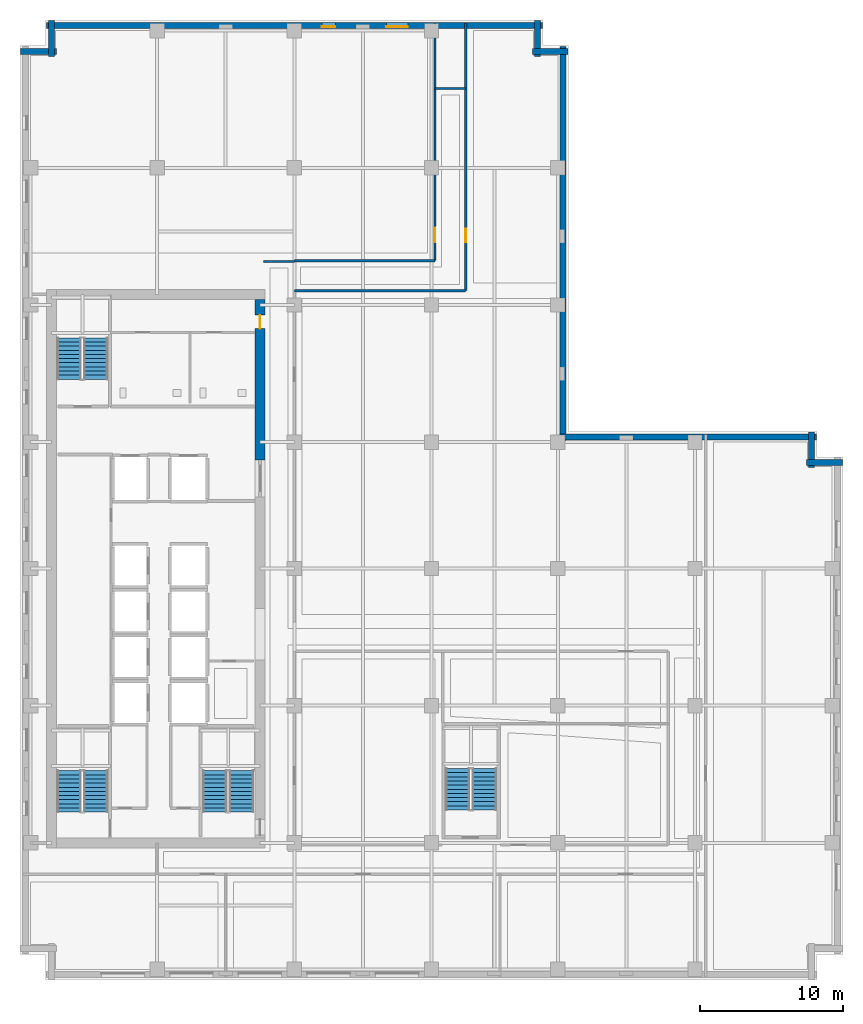
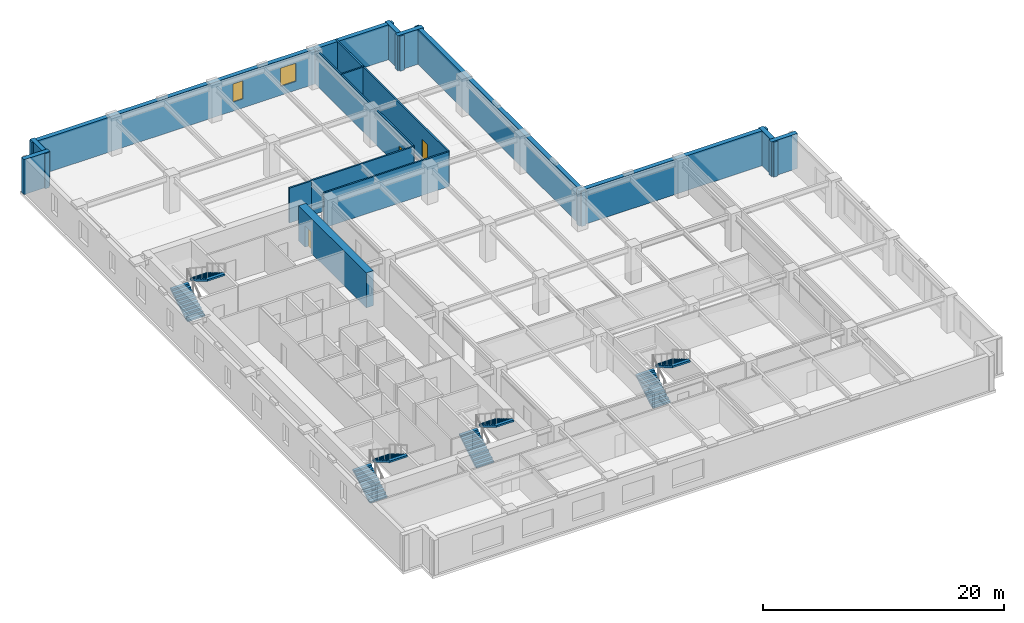
# One storey, part 7 of 12: 16 walls, 8 stair flights, 3 doors, 2 windows, 5 openings, 4 elements without a shape of their own.
"""IFC4 building model written with IfcOpenShell, lengths in metres."""

from ifc_helpers import new_model, si_unit, direction, frame, frame_2d, origin, place, context, subcontext, project, spatial, polyline, rectangle, outline, extrude, material, layer, layer_set, type_object, element, fill, aggregate, save


model = new_model("IFC4")

# Units and contexts
model_context = context("Model", 3, precision=1e-05, world=origin(), true_north=direction((0.0, 1.0)))
body_context = subcontext(model_context, "Body", "Model", "MODEL_VIEW")
ifc_project = project(units=[si_unit("LENGTHUNIT", "METRE"), si_unit("AREAUNIT", "SQUARE_METRE"), si_unit("VOLUMEUNIT", "CUBIC_METRE"), si_unit("PLANEANGLEUNIT", "RADIAN"), si_unit("MASSUNIT", "GRAM", prefix="KILO")], contexts=[model_context])

# Site, building, storey
site_placement = place(None, origin())
site = spatial("IfcSite", under=ifc_project, at=site_placement, CompositionType="ELEMENT")
building_placement = place(site_placement, origin())
building = spatial("IfcBuilding", under=site, at=building_placement, Name="Norrvale University Quadrangle", CompositionType="ELEMENT")
storey_placement = place(building_placement, frame((0.0, 0.0, 139.39990234375)))
storey = spatial("IfcBuildingStorey", under=building, at=storey_placement, Name="L35", CompositionType="ELEMENT", Elevation=139.39990234375)

# Walls
ifc_material_1 = material(Name="Buff Norman Clay Brick Masonry", Category="masonry")
ifc_layer_1 = layer(ifc_material_1, 0.419921875, Name="Buff Norman Clay Brick Masonry")
ifc_layer_set_1 = layer_set([ifc_layer_1], Name="Buff Norman Clay Brick Masonry")
wall_type_1 = type_object("IfcWallType", Name="Wall Buff Brick 420", PredefinedType="SOLIDWALL", material=ifc_layer_set_1)
for number, where, z_axis, x_axis, name in (
    (1, (57.56005859375, 36.2099609375, 0.0), (0.0, 0.0, 1.0), (-1.0, 0.0, 0.0), "Exterior Brick Facade Wall L35-05.1"),
    (2, (55.409912109375, 35.860107421875, 0.0), (0.0, 0.0, 1.0), (0.0, 1.0, 0.0), "Exterior Brick Facade Wall L35-06.1"),
):
    element("IfcWall", number, at=place(storey_placement, frame(where, z_axis=z_axis, x_axis=x_axis)), inside=storey, type_object=wall_type_1, Name=name, PredefinedType="SOLIDWALL", context=body_context, shape_type="SweptSolid", body=[
        extrude(rectangle(XDim=2.5, YDim=0.419921875, at=frame_2d((1.25, 0.0))), origin(), (0.0, 0.0, 1.0), 3.5400390625),
    ])
wall_1_placement = place(storey_placement, frame((55.760009765625, 38.010009765625, 0.0), z_axis=(0.0, 0.0, 1.0), x_axis=(-1.0, 0.0, 0.0)))
element("IfcWall", 3, at=wall_1_placement, inside=storey, type_object=wall_type_1, Name="Exterior Brick Facade Wall L35-07.1", PredefinedType="SOLIDWALL", context=body_context, shape_type="SweptSolid", body=[
    extrude(rectangle(XDim=18.10009765625, YDim=0.419921875, at=frame_2d((9.050048828125, 0.0))), origin(), (0.0, 0.0, 1.0), 3.5400390625),
])
wall_2_placement = place(storey_placement, frame((38.010009765625, 37.659912109375, 0.0), z_axis=(0.0, 0.0, 1.0), x_axis=(0.0, 1.0, 0.0)))
element("IfcWall", 4, at=wall_2_placement, inside=storey, type_object=wall_type_1, Name="Exterior Brick Facade Wall L35-08.1", PredefinedType="SOLIDWALL", context=body_context, shape_type="SweptSolid", body=[
    extrude(rectangle(XDim=27.7001953125, YDim=0.419921875, at=frame_2d((13.85009765625, 0.0))), origin(), (0.0, 0.0, 1.0), 3.5400390625),
])
for number, where, z_axis, x_axis, name in (
    (5, (38.360107421875, 65.010009765625, 0.0), (0.0, 0.0, 1.0), (-1.0, 0.0, 0.0), "Exterior Brick Facade Wall L35-09.1"),
    (6, (36.2099609375, 64.659912109375, 0.0), (0.0, 0.0, 1.0), (0.0, 1.0, 0.0), "Exterior Brick Facade Wall L35-10.1"),
):
    element("IfcWall", number, at=place(storey_placement, frame(where, z_axis=z_axis, x_axis=x_axis)), inside=storey, type_object=wall_type_1, Name=name, PredefinedType="SOLIDWALL", context=body_context, shape_type="SweptSolid", body=[
        extrude(rectangle(XDim=2.5, YDim=0.419921875, at=frame_2d((1.25, 0.0))), origin(), (0.0, 0.0, 1.0), 3.5400390625),
    ])

# Wall, openings, windows
wall_3_placement = place(storey_placement, frame((36.56005859375, 66.81005859375, 0.0), z_axis=(0.0, 0.0, 1.0), x_axis=(-1.0, 0.0, 0.0)))
wall_3 = element("IfcWall", 7, at=wall_3_placement, inside=storey, type_object=wall_type_1, Name="Exterior Brick Facade Wall L35-11.1", PredefinedType="SOLIDWALL", context=body_context, shape_type="SweptSolid", body=[
    extrude(rectangle(XDim=34.719970703125, YDim=0.419921875, at=frame_2d((17.35986328125, 0.0))), origin(), (0.0, 0.0, 1.0), 3.5400390625),
])
opening_1_placement = place(wall_3_placement, frame((9.409912109375, 0.0, 0.89990234375)))
opening_1 = element("IfcOpeningElement", 8, at=opening_1_placement, cuts=wall_3, Name="Opening W03", PredefinedType="OPENING", context=body_context, shape_type="SweptSolid", body=[
    extrude(rectangle(XDim=1.5, YDim=1.85009765625, at=frame_2d((0.75, 0.925048828125))), frame((0.0, 0.221923828125, 0.0), z_axis=(0.0, -1.0, 0.0), x_axis=(1.0, 0.0, 0.0)), (0.0, 0.0, 1.0), 0.44384765625),
])
opening_2_placement = place(wall_3_placement, frame((14.485107421875, 0.0, 0.89990234375)))
opening_2 = element("IfcOpeningElement", 9, at=opening_2_placement, cuts=wall_3, Name="Opening W04", PredefinedType="OPENING", context=body_context, shape_type="SweptSolid", body=[
    extrude(rectangle(XDim=0.949951171875, YDim=1.85009765625, at=frame_2d((0.47509765625, 0.925048828125))), frame((0.0, 0.221923828125, 0.0), z_axis=(0.0, -1.0, 0.0), x_axis=(1.0, 0.0, 0.0)), (0.0, 0.0, 1.0), 0.44384765625),
])
ifc_material_2 = material(Name="Triple Low-E Argon Glazing", Category="glass")
window_type_1 = type_object("IfcWindowType", Name="Window Narrow Pier 950x2300", PartitioningType="SINGLE_PANEL", PredefinedType="WINDOW", material=ifc_material_2)
window_1_placement = place(opening_2_placement, origin())
window_1 = element("IfcWindow", 10, at=window_1_placement, inside=storey, type_object=window_type_1, Name="Window Narrow Pier 950x2300 WIN-L35-E11-1-02", OverallHeight=1.85009765625, OverallWidth=0.949951171875, PartitioningType="SINGLE_PANEL", PredefinedType="WINDOW", context=body_context, shape_type="SweptSolid", body=[
    extrude(rectangle(XDim=0.949951171875, YDim=1.85009765625, at=frame_2d((0.47509765625, 0.925048828125))), frame((0.0, 0.110107421875, 0.0), z_axis=(0.0, -1.0, 0.0), x_axis=(1.0, 0.0, 0.0)), (0.0, 0.0, 1.0), 0.06005859375),
])
fill(opening_2, window_1)
window_type_2 = type_object("IfcWindowType", Name="Window Studio 1500x2300", PartitioningType="DOUBLE_PANEL_VERTICAL", PredefinedType="WINDOW", material=ifc_material_2)
window_2_placement = place(opening_1_placement, origin())
window_2 = element("IfcWindow", 11, at=window_2_placement, inside=storey, type_object=window_type_2, Name="Window Studio 1500x2300 WIN-L35-E11-1-01", OverallHeight=1.85009765625, OverallWidth=1.5, PartitioningType="DOUBLE_PANEL_VERTICAL", PredefinedType="WINDOW", context=body_context, shape_type="SweptSolid", body=[
    extrude(rectangle(XDim=1.5, YDim=1.85009765625, at=frame_2d((0.75, 0.925048828125))), frame((0.0, 0.110107421875, 0.0), z_axis=(0.0, -1.0, 0.0), x_axis=(1.0, 0.0, 0.0)), (0.0, 0.0, 1.0), 0.06005859375),
])
fill(opening_1, window_2)

# Walls
for number, where, z_axis, x_axis, name in (
    (12, (2.18994140625, 67.159912109375, 0.0), (0.0, 0.0, 1.0), (0.0, -1.0, 0.0), "Exterior Brick Facade Wall L35-12.1"),
    (13, (2.5400390625, 65.010009765625, 0.0), (0.0, 0.0, 1.0), (-1.0, 0.0, 0.0), "Exterior Brick Facade Wall L35-13.1"),
):
    element("IfcWall", number, at=place(storey_placement, frame(where, z_axis=z_axis, x_axis=x_axis)), inside=storey, type_object=wall_type_1, Name=name, PredefinedType="SOLIDWALL", context=body_context, shape_type="SweptSolid", body=[
        extrude(rectangle(XDim=2.5, YDim=0.419921875, at=frame_2d((1.25, 0.0))), origin(), (0.0, 0.0, 1.0), 3.5400390625),
    ])

# Wall, opening, door
ifc_material_3 = material(Name="Concrete C60/75", Category="concrete")
ifc_layer_2 = layer(ifc_material_3, 0.699951171875, Name="Concrete C60/75")
ifc_layer_set_2 = layer_set([ifc_layer_2], Name="Concrete C60/75")
wall_type_2 = type_object("IfcWallType", Name="Wall Core 700", PredefinedType="SHEAR", material=ifc_layer_set_2)
wall_4_placement = place(storey_placement, frame((16.800048828125, 36.39990234375, 0.0), z_axis=(0.0, 0.0, 1.0), x_axis=(0.0, 1.0, 0.0)))
wall_4 = element("IfcWall", 14, at=wall_4_placement, inside=storey, type_object=wall_type_2, Name="Tower Core Shear Wall L35-E3", PredefinedType="SHEAR", context=body_context, shape_type="SweptSolid", body=[
    extrude(rectangle(XDim=11.25, YDim=0.699951171875, at=frame_2d((5.625, 0.0))), origin(), (0.0, 0.0, 1.0), 3.5400390625),
])
opening_3_placement = place(wall_4_placement, frame((9.199951171875, 0.0, 0.0)))
opening_3 = element("IfcOpeningElement", 15, at=opening_3_placement, cuts=wall_4, Name="Opening D07", PredefinedType="OPENING", context=body_context, shape_type="SweptSolid", body=[
    extrude(rectangle(XDim=0.949951171875, YDim=2.14990234375, at=frame_2d((0.47509765625, 1.074951171875))), frame((0.0, 0.362060546875, 0.0), z_axis=(0.0, -1.0, 0.0), x_axis=(1.0, 0.0, 0.0)), (0.0, 0.0, 1.0), 0.723876953125),
])
ifc_material_4 = material(Name="Solid-Core Maple Door", Category="wood")
door_type_1 = type_object("IfcDoorType", Name="Door Office 950x2150", OperationType="NOTDEFINED", PredefinedType="DOOR", material=ifc_material_4)
door_1_placement = place(opening_3_placement, origin())
door_1 = element("IfcDoor", 16, at=door_1_placement, inside=storey, type_object=door_type_1, Name="Door Office 950x2150 DR-L35-NECORR", OperationType="SINGLE_SWING_RIGHT", OverallHeight=2.14990234375, OverallWidth=0.949951171875, PredefinedType="DOOR", context=body_context, shape_type="SweptSolid", body=[
    extrude(rectangle(XDim=0.949951171875, YDim=2.14990234375, at=frame_2d((0.47509765625, 1.074951171875))), frame((0.0, 0.02490234375, 0.0), z_axis=(0.0, -1.0, 0.0), x_axis=(1.0, 0.0, 0.0)), (0.0, 0.0, 1.0), 0.050048828125),
])
fill(opening_3, door_1)

# Walls
ifc_material_5 = material(Name="Fire-Rated Gypsum Stud Partition")
ifc_layer_3 = layer(ifc_material_5, 0.14990234375, Name="Fire-Rated Gypsum Stud Partition")
ifc_layer_set_3 = layer_set([ifc_layer_3], Name="Fire-Rated Gypsum Stud Partition")
wall_type_3 = type_object("IfcWallType", Name="Wall Gypsum Corridor 150", PredefinedType="PARTITIONING", material=ifc_layer_set_3)
wall_5_placement = place(storey_placement, frame((17.050048828125, 50.300048828125, 0.0), z_axis=(0.0, 0.0, 1.0), x_axis=(1.0, 0.0, 0.0)))
element("IfcWall", 17, at=wall_5_placement, inside=storey, type_object=wall_type_3, Name="Interior Partition WL-L35-CN-END", PredefinedType="PARTITIONING", context=body_context, shape_type="SweptSolid", body=[
    extrude(rectangle(XDim=2.14990234375, YDim=0.14990234375, at=frame_2d((1.074951171875, 0.0))), origin(), (0.0, 0.0, 1.0), 3.5400390625),
])
wall_6_placement = place(storey_placement, frame((19.199951171875, 48.25, 0.0), z_axis=(0.0, 0.0, 1.0), x_axis=(1.0, 0.0, 0.0)))
element("IfcWall", 18, at=wall_6_placement, inside=storey, type_object=wall_type_3, Name="Interior Partition WL-L35-JOGS", PredefinedType="PARTITIONING", context=body_context, shape_type="SweptSolid", body=[
    extrude(rectangle(XDim=12.0, YDim=0.14990234375, at=frame_2d((6.0, 0.0))), origin(), (0.0, 0.0, 1.0), 3.5400390625),
])
wall_7_placement = place(storey_placement, frame((19.199951171875, 50.35009765625, 0.0), z_axis=(0.0, 0.0, 1.0), x_axis=(1.0, 0.0, 0.0)))
element("IfcWall", 19, at=wall_7_placement, inside=storey, type_object=wall_type_3, Name="Interior Partition WL-L35-JOGN", PredefinedType="PARTITIONING", context=body_context, shape_type="SweptSolid", body=[
    extrude(rectangle(XDim=9.85009765625, YDim=0.14990234375, at=frame_2d((4.925048828125, 0.0))), origin(), (0.0, 0.0, 1.0), 3.5400390625),
])
wall_8_placement = place(storey_placement, frame((29.050048828125, 62.39990234375, 0.0), z_axis=(0.0, 0.0, 1.0), x_axis=(1.0, 0.0, 0.0)))
element("IfcWall", 20, at=wall_8_placement, inside=storey, type_object=wall_type_3, Name="Interior Partition WL-L35-JOGEND", PredefinedType="PARTITIONING", context=body_context, shape_type="SweptSolid", body=[
    extrude(rectangle(XDim=2.14990234375, YDim=0.14990234375, at=frame_2d((1.074951171875, 0.0))), origin(), (0.0, 0.0, 1.0), 3.5400390625),
])

# Wall, opening, door
wall_9_placement = place(storey_placement, frame((31.199951171875, 48.25, 0.0), z_axis=(0.0, 0.0, 1.0), x_axis=(0.0, 1.0, 0.0)))
wall_9 = element("IfcWall", 21, at=wall_9_placement, inside=storey, type_object=wall_type_3, Name="Interior Partition WL-L35-NECW", PredefinedType="PARTITIONING", context=body_context, shape_type="SweptSolid", body=[
    extrude(rectangle(XDim=18.72998046875, YDim=0.14990234375, at=frame_2d((9.364990234375, 0.0))), origin(), (0.0, 0.0, 1.0), 3.5400390625),
])
opening_4_placement = place(wall_9_placement, frame((3.39990234375, 0.0, 0.0)))
opening_4 = element("IfcOpeningElement", 22, at=opening_4_placement, cuts=wall_9, Name="Opening D07", PredefinedType="OPENING", context=body_context, shape_type="SweptSolid", body=[
    extrude(rectangle(XDim=0.949951171875, YDim=2.14990234375, at=frame_2d((0.47509765625, 1.074951171875))), frame((0.0, 0.0869140625, 0.0), z_axis=(0.0, -1.0, 0.0), x_axis=(1.0, 0.0, 0.0)), (0.0, 0.0, 1.0), 0.173828125),
])
door_2_placement = place(opening_4_placement, origin())
door_2 = element("IfcDoor", 23, at=door_2_placement, inside=storey, type_object=door_type_1, Name="Door Office 950x2150 DR-L35-NE01", OperationType="SINGLE_SWING_RIGHT", OverallHeight=2.14990234375, OverallWidth=0.949951171875, PredefinedType="DOOR", context=body_context, shape_type="SweptSolid", body=[
    extrude(rectangle(XDim=0.949951171875, YDim=2.14990234375, at=frame_2d((0.47509765625, 1.074951171875))), frame((0.0, 0.02490234375, 0.0), z_axis=(0.0, -1.0, 0.0), x_axis=(1.0, 0.0, 0.0)), (0.0, 0.0, 1.0), 0.050048828125),
])
fill(opening_4, door_2)

wall_10_placement = place(storey_placement, frame((29.050048828125, 50.35009765625, 0.0), z_axis=(0.0, 0.0, 1.0), x_axis=(0.0, 1.0, 0.0)))
wall_10 = element("IfcWall", 24, at=wall_10_placement, inside=storey, type_object=wall_type_3, Name="Interior Partition WL-L35-NWCW", PredefinedType="PARTITIONING", context=body_context, shape_type="SweptSolid", body=[
    extrude(rectangle(XDim=16.6298828125, YDim=0.14990234375, at=frame_2d((8.31494140625, 0.0))), origin(), (0.0, 0.0, 1.0), 3.5400390625),
])
opening_5_placement = place(wall_10_placement, frame((1.300048828125, 0.0, 0.0)))
opening_5 = element("IfcOpeningElement", 25, at=opening_5_placement, cuts=wall_10, Name="Opening D04", PredefinedType="OPENING", context=body_context, shape_type="SweptSolid", body=[
    extrude(rectangle(XDim=1.0, YDim=2.199951171875, at=frame_2d((0.5, 1.10009765625))), frame((0.0, 0.0869140625, 0.0), z_axis=(0.0, -1.0, 0.0), x_axis=(1.0, 0.0, 0.0)), (0.0, 0.0, 1.0), 0.173828125),
])
ifc_material_6 = material(Name="Solid-Core Oak Fire Door", Category="wood")
door_type_2 = type_object("IfcDoorType", Name="Door Corridor 1000x2200", OperationType="NOTDEFINED", PredefinedType="DOOR", material=ifc_material_6)
door_3_placement = place(opening_5_placement, origin())
door_3 = element("IfcDoor", 26, at=door_3_placement, inside=storey, type_object=door_type_2, Name="Door Corridor 1000x2200 DR-L35-NW01", OperationType="SINGLE_SWING_RIGHT", OverallHeight=2.199951171875, OverallWidth=1.0, PredefinedType="DOOR", context=body_context, shape_type="SweptSolid", body=[
    extrude(rectangle(XDim=1.0, YDim=2.199951171875, at=frame_2d((0.5, 1.10009765625))), frame((0.0, 0.02490234375, 0.0), z_axis=(0.0, -1.0, 0.0), x_axis=(1.0, 0.0, 0.0)), (0.0, 0.0, 1.0), 0.050048828125),
])
fill(opening_5, door_3)

# Stair, stair flights
ifc_material_7 = material(Name="Concrete C40/50", Category="concrete")
stair_type = type_object("IfcStairType", Name="Stair Tower Typ 3800", PredefinedType="TWO_STRAIGHT_RUN_STAIR", material=ifc_material_7)
stair_1_placement = place(storey_placement, origin())
stair_1 = element("IfcStair", 27, at=stair_1_placement, inside=storey, type_object=stair_type, Name="Exit Stair ST-01 L35", PredefinedType="TWO_STRAIGHT_RUN_STAIR")
stair_flight_type = type_object("IfcStairFlightType", Name="Flight Typ 1500", PredefinedType="STRAIGHT", material=ifc_material_7)
stair_flight_1_placement = place(storey_placement, frame((3.429931640625, 11.75, 0.0), z_axis=(0.0, 0.0, 1.0), x_axis=(0.0, 1.0, 0.0)))
stair_flight_1 = element("IfcStairFlight", 28, at=stair_flight_1_placement, type_object=stair_flight_type, Name="Exit Stair ST-01 L35 Lower Flight", NumberOfRisers=11, NumberOfTreads=10, PredefinedType="STRAIGHT", RiserHeight=0.172727, TreadLength=0.29, context=body_context, shape_type="SweptSolid", body=[
    extrude(outline(polyline([(0.0, 0.0), (0.0, 0.172607421875), (0.2900390625, 0.172607421875), (0.2900390625, 0.345458984375), (0.580078125, 0.345458984375), (0.580078125, 0.51806640625), (0.8701171875, 0.51806640625), (0.8701171875, 0.69091796875), (1.159912109375, 0.69091796875), (1.159912109375, 0.863525390625), (1.449951171875, 0.863525390625), (1.449951171875, 1.036376953125), (1.739990234375, 1.036376953125), (1.739990234375, 1.208984375), (2.030029296875, 1.208984375), (2.030029296875, 1.3818359375), (2.320068359375, 1.3818359375), (2.320068359375, 1.554443359375), (2.610107421875, 1.554443359375), (2.610107421875, 1.727294921875), (2.89990234375, 1.727294921875), (2.89990234375, 1.89990234375), (2.89990234375, 1.552734375), (0.29296875, 0.0), (0.0, 0.0)])), frame((0.0, 0.83984375, 0.0), z_axis=(0.0, -1.0, 0.0), x_axis=(1.0, 0.0, 0.0)), (0.0, 0.0, 1.0), 1.679931640625),
])
stair_flight_2_placement = place(storey_placement, frame((5.320068359375, 14.64990234375, 1.900146484375), z_axis=(0.0, 0.0, 1.0), x_axis=(0.0, -1.0, 0.0)))
stair_flight_2 = element("IfcStairFlight", 29, at=stair_flight_2_placement, type_object=stair_flight_type, Name="Exit Stair ST-01 L35 Upper Flight", NumberOfRisers=11, NumberOfTreads=10, PredefinedType="STRAIGHT", RiserHeight=0.172727, TreadLength=0.29, context=body_context, shape_type="SweptSolid", body=[
    extrude(outline(polyline([(0.0, 0.0), (0.0, 0.172607421875), (0.2900390625, 0.172607421875), (0.2900390625, 0.345458984375), (0.580078125, 0.345458984375), (0.580078125, 0.51806640625), (0.8701171875, 0.51806640625), (0.8701171875, 0.69091796875), (1.159912109375, 0.69091796875), (1.159912109375, 0.863525390625), (1.449951171875, 0.863525390625), (1.449951171875, 1.036376953125), (1.739990234375, 1.036376953125), (1.739990234375, 1.208984375), (2.030029296875, 1.208984375), (2.030029296875, 1.3818359375), (2.320068359375, 1.3818359375), (2.320068359375, 1.554443359375), (2.610107421875, 1.554443359375), (2.610107421875, 1.727294921875), (2.89990234375, 1.727294921875), (2.89990234375, 1.89990234375), (2.89990234375, 1.552734375), (0.29296875, 0.0), (0.0, 0.0)])), frame((0.0, 0.83984375, 0.0), z_axis=(0.0, -1.0, 0.0), x_axis=(1.0, 0.0, 0.0)), (0.0, 0.0, 1.0), 1.679931640625),
])
aggregate(stair_1, [stair_flight_1, stair_flight_2])

stair_2_placement = place(storey_placement, origin())
stair_2 = element("IfcStair", 30, at=stair_2_placement, inside=storey, type_object=stair_type, Name="Exit Stair ST-02 L35", PredefinedType="TWO_STRAIGHT_RUN_STAIR")
stair_flight_3_placement = place(storey_placement, frame((3.429931640625, 42.050048828125, 0.0), z_axis=(0.0, 0.0, 1.0), x_axis=(0.0, 1.0, 0.0)))
stair_flight_3 = element("IfcStairFlight", 31, at=stair_flight_3_placement, type_object=stair_flight_type, Name="Exit Stair ST-02 L35 Lower Flight", NumberOfRisers=11, NumberOfTreads=10, PredefinedType="STRAIGHT", RiserHeight=0.172727, TreadLength=0.29, context=body_context, shape_type="SweptSolid", body=[
    extrude(outline(polyline([(0.0, 0.0), (0.0, 0.172607421875), (0.2900390625, 0.172607421875), (0.2900390625, 0.345458984375), (0.580078125, 0.345458984375), (0.580078125, 0.51806640625), (0.8701171875, 0.51806640625), (0.8701171875, 0.69091796875), (1.159912109375, 0.69091796875), (1.159912109375, 0.863525390625), (1.449951171875, 0.863525390625), (1.449951171875, 1.036376953125), (1.739990234375, 1.036376953125), (1.739990234375, 1.208984375), (2.030029296875, 1.208984375), (2.030029296875, 1.3818359375), (2.320068359375, 1.3818359375), (2.320068359375, 1.554443359375), (2.610107421875, 1.554443359375), (2.610107421875, 1.727294921875), (2.89990234375, 1.727294921875), (2.89990234375, 1.89990234375), (2.89990234375, 1.552734375), (0.29296875, 0.0), (0.0, 0.0)])), frame((0.0, 0.83984375, 0.0), z_axis=(0.0, -1.0, 0.0), x_axis=(1.0, 0.0, 0.0)), (0.0, 0.0, 1.0), 1.679931640625),
])
stair_flight_4_placement = place(storey_placement, frame((5.320068359375, 44.949951171875, 1.900146484375), z_axis=(0.0, 0.0, 1.0), x_axis=(0.0, -1.0, 0.0)))
stair_flight_4 = element("IfcStairFlight", 32, at=stair_flight_4_placement, type_object=stair_flight_type, Name="Exit Stair ST-02 L35 Upper Flight", NumberOfRisers=11, NumberOfTreads=10, PredefinedType="STRAIGHT", RiserHeight=0.172727, TreadLength=0.29, context=body_context, shape_type="SweptSolid", body=[
    extrude(outline(polyline([(0.0, 0.0), (0.0, 0.172607421875), (0.2900390625, 0.172607421875), (0.2900390625, 0.345458984375), (0.580078125, 0.345458984375), (0.580078125, 0.51806640625), (0.8701171875, 0.51806640625), (0.8701171875, 0.69091796875), (1.159912109375, 0.69091796875), (1.159912109375, 0.863525390625), (1.449951171875, 0.863525390625), (1.449951171875, 1.036376953125), (1.739990234375, 1.036376953125), (1.739990234375, 1.208984375), (2.030029296875, 1.208984375), (2.030029296875, 1.3818359375), (2.320068359375, 1.3818359375), (2.320068359375, 1.554443359375), (2.610107421875, 1.554443359375), (2.610107421875, 1.727294921875), (2.89990234375, 1.727294921875), (2.89990234375, 1.89990234375), (2.89990234375, 1.552734375), (0.29296875, 0.0), (0.0, 0.0)])), frame((0.0, 0.83984375, 0.0), z_axis=(0.0, -1.0, 0.0), x_axis=(1.0, 0.0, 0.0)), (0.0, 0.0, 1.0), 1.679931640625),
])
aggregate(stair_2, [stair_flight_3, stair_flight_4])

stair_3_placement = place(storey_placement, origin())
stair_3 = element("IfcStair", 33, at=stair_3_placement, inside=storey, type_object=stair_type, Name="Exit Stair ST-03 L35", PredefinedType="TWO_STRAIGHT_RUN_STAIR")
stair_flight_5_placement = place(storey_placement, frame((13.6298828125, 11.75, 0.0), z_axis=(0.0, 0.0, 1.0), x_axis=(0.0, 1.0, 0.0)))
stair_flight_5 = element("IfcStairFlight", 34, at=stair_flight_5_placement, type_object=stair_flight_type, Name="Exit Stair ST-03 L35 Lower Flight", NumberOfRisers=11, NumberOfTreads=10, PredefinedType="STRAIGHT", RiserHeight=0.172727, TreadLength=0.29, context=body_context, shape_type="SweptSolid", body=[
    extrude(outline(polyline([(0.0, 0.0), (0.0, 0.172607421875), (0.2900390625, 0.172607421875), (0.2900390625, 0.345458984375), (0.580078125, 0.345458984375), (0.580078125, 0.51806640625), (0.8701171875, 0.51806640625), (0.8701171875, 0.69091796875), (1.159912109375, 0.69091796875), (1.159912109375, 0.863525390625), (1.449951171875, 0.863525390625), (1.449951171875, 1.036376953125), (1.739990234375, 1.036376953125), (1.739990234375, 1.208984375), (2.030029296875, 1.208984375), (2.030029296875, 1.3818359375), (2.320068359375, 1.3818359375), (2.320068359375, 1.554443359375), (2.610107421875, 1.554443359375), (2.610107421875, 1.727294921875), (2.89990234375, 1.727294921875), (2.89990234375, 1.89990234375), (2.89990234375, 1.552734375), (0.29296875, 0.0), (0.0, 0.0)])), frame((0.0, 0.83984375, 0.0), z_axis=(0.0, -1.0, 0.0), x_axis=(1.0, 0.0, 0.0)), (0.0, 0.0, 1.0), 1.679931640625),
])
stair_flight_6_placement = place(storey_placement, frame((15.52001953125, 14.64990234375, 1.900146484375), z_axis=(0.0, 0.0, 1.0), x_axis=(0.0, -1.0, 0.0)))
stair_flight_6 = element("IfcStairFlight", 35, at=stair_flight_6_placement, type_object=stair_flight_type, Name="Exit Stair ST-03 L35 Upper Flight", NumberOfRisers=11, NumberOfTreads=10, PredefinedType="STRAIGHT", RiserHeight=0.172727, TreadLength=0.29, context=body_context, shape_type="SweptSolid", body=[
    extrude(outline(polyline([(0.0, 0.0), (0.0, 0.172607421875), (0.2900390625, 0.172607421875), (0.2900390625, 0.345458984375), (0.580078125, 0.345458984375), (0.580078125, 0.51806640625), (0.8701171875, 0.51806640625), (0.8701171875, 0.69091796875), (1.159912109375, 0.69091796875), (1.159912109375, 0.863525390625), (1.449951171875, 0.863525390625), (1.449951171875, 1.036376953125), (1.739990234375, 1.036376953125), (1.739990234375, 1.208984375), (2.030029296875, 1.208984375), (2.030029296875, 1.3818359375), (2.320068359375, 1.3818359375), (2.320068359375, 1.554443359375), (2.610107421875, 1.554443359375), (2.610107421875, 1.727294921875), (2.89990234375, 1.727294921875), (2.89990234375, 1.89990234375), (2.89990234375, 1.552734375), (0.29296875, 0.0), (0.0, 0.0)])), frame((0.0, 0.83984375, 0.0), z_axis=(0.0, -1.0, 0.0), x_axis=(1.0, 0.0, 0.0)), (0.0, 0.0, 1.0), 1.679931640625),
])
aggregate(stair_3, [stair_flight_5, stair_flight_6])

stair_4_placement = place(storey_placement, origin())
stair_4 = element("IfcStair", 36, at=stair_4_placement, inside=storey, type_object=stair_type, Name="Exit Stair ST-04 L35", PredefinedType="TWO_STRAIGHT_RUN_STAIR")
stair_flight_7_placement = place(storey_placement, frame((30.6298828125, 11.89990234375, 0.0), z_axis=(0.0, 0.0, 1.0), x_axis=(0.0, 1.0, 0.0)))
stair_flight_7 = element("IfcStairFlight", 37, at=stair_flight_7_placement, type_object=stair_flight_type, Name="Exit Stair ST-04 L35 Lower Flight", NumberOfRisers=11, NumberOfTreads=10, PredefinedType="STRAIGHT", RiserHeight=0.172727, TreadLength=0.29, context=body_context, shape_type="SweptSolid", body=[
    extrude(outline(polyline([(0.0, 0.0), (0.0, 0.172607421875), (0.2900390625, 0.172607421875), (0.2900390625, 0.345458984375), (0.580078125, 0.345458984375), (0.580078125, 0.51806640625), (0.8701171875, 0.51806640625), (0.8701171875, 0.69091796875), (1.159912109375, 0.69091796875), (1.159912109375, 0.863525390625), (1.449951171875, 0.863525390625), (1.449951171875, 1.036376953125), (1.739990234375, 1.036376953125), (1.739990234375, 1.208984375), (2.030029296875, 1.208984375), (2.030029296875, 1.3818359375), (2.320068359375, 1.3818359375), (2.320068359375, 1.554443359375), (2.610107421875, 1.554443359375), (2.610107421875, 1.727294921875), (2.89990234375, 1.727294921875), (2.89990234375, 1.89990234375), (2.89990234375, 1.552734375), (0.29296875, 0.0), (0.0, 0.0)])), frame((0.0, 0.83984375, 0.0), z_axis=(0.0, -1.0, 0.0), x_axis=(1.0, 0.0, 0.0)), (0.0, 0.0, 1.0), 1.679931640625),
])
stair_flight_8_placement = place(storey_placement, frame((32.52001953125, 14.800048828125, 1.900146484375), z_axis=(0.0, 0.0, 1.0), x_axis=(0.0, -1.0, 0.0)))
stair_flight_8 = element("IfcStairFlight", 38, at=stair_flight_8_placement, type_object=stair_flight_type, Name="Exit Stair ST-04 L35 Upper Flight", NumberOfRisers=11, NumberOfTreads=10, PredefinedType="STRAIGHT", RiserHeight=0.172727, TreadLength=0.29, context=body_context, shape_type="SweptSolid", body=[
    extrude(outline(polyline([(0.0, 0.0), (0.0, 0.172607421875), (0.2900390625, 0.172607421875), (0.2900390625, 0.345458984375), (0.580078125, 0.345458984375), (0.580078125, 0.51806640625), (0.8701171875, 0.51806640625), (0.8701171875, 0.69091796875), (1.159912109375, 0.69091796875), (1.159912109375, 0.863525390625), (1.449951171875, 0.863525390625), (1.449951171875, 1.036376953125), (1.739990234375, 1.036376953125), (1.739990234375, 1.208984375), (2.030029296875, 1.208984375), (2.030029296875, 1.3818359375), (2.320068359375, 1.3818359375), (2.320068359375, 1.554443359375), (2.610107421875, 1.554443359375), (2.610107421875, 1.727294921875), (2.89990234375, 1.727294921875), (2.89990234375, 1.89990234375), (2.89990234375, 1.552734375), (0.29296875, 0.0), (0.0, 0.0)])), frame((0.0, 0.83984375, 0.0), z_axis=(0.0, -1.0, 0.0), x_axis=(1.0, 0.0, 0.0)), (0.0, 0.0, 1.0), 1.679931640625),
])
aggregate(stair_4, [stair_flight_7, stair_flight_8])

save(model, "model.ifc")
